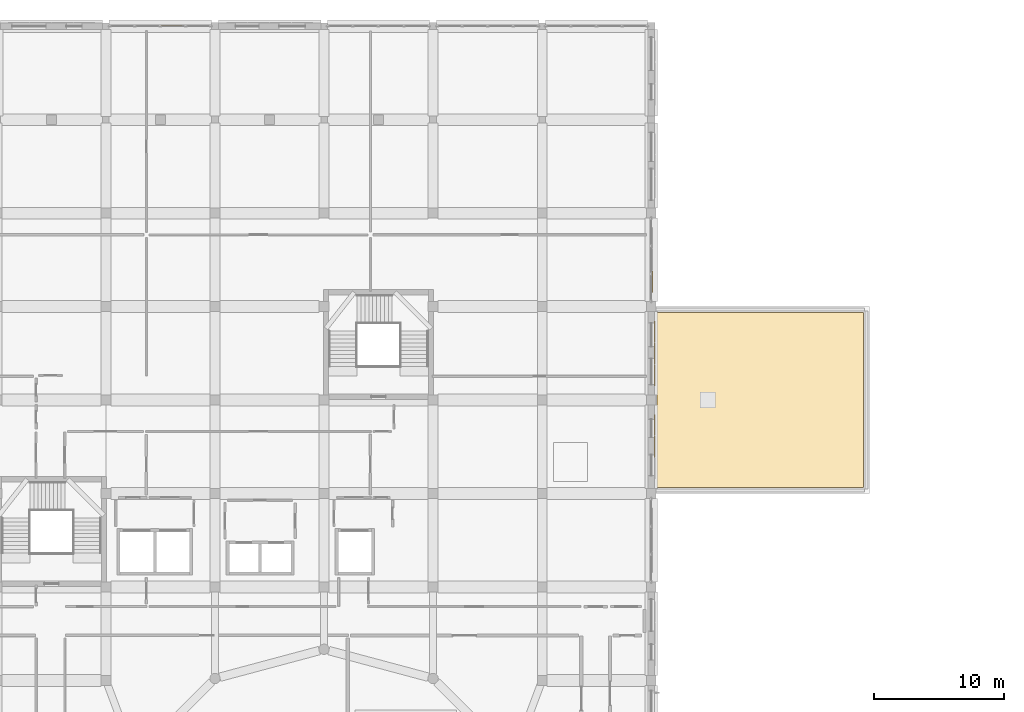
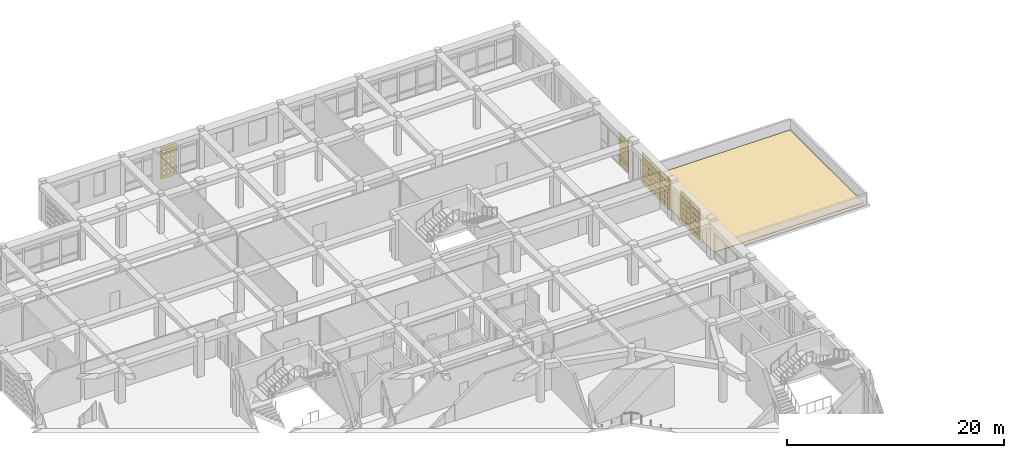
# One storey, part 112 of 121: 8 coverings.
"""IFC4 building model written with IfcOpenShell, lengths in metres."""

from ifc_helpers import new_model, si_unit, derived_unit, direction, frame, origin, place, context, subcontext, project, spatial, polyline, outline, extrude, material, layer, layer_set, type_object, element, save


model = new_model("IFC4")

# Units and contexts
model_context = context("Model", 3, precision=1e-05, world=origin(), true_north=direction((0.0, 1.0)))
body_context = subcontext(model_context, "Body", "Model", "MODEL_VIEW")
ifc_project = project(units=[si_unit("LENGTHUNIT", "METRE"), si_unit("AREAUNIT", "SQUARE_METRE"), si_unit("VOLUMEUNIT", "CUBIC_METRE"), si_unit("PLANEANGLEUNIT", "RADIAN"), si_unit("MASSUNIT", "GRAM", prefix="KILO"), derived_unit("THERMALTRANSMITTANCEUNIT", [(si_unit("POWERUNIT", "WATT"), 1), (si_unit("LENGTHUNIT", "METRE"), -2), (si_unit("THERMODYNAMICTEMPERATUREUNIT", "KELVIN"), -1)])], contexts=[model_context])

# Site, building, storey
site_placement = place(None, origin())
site = spatial("IfcSite", under=ifc_project, at=site_placement, CompositionType="ELEMENT")
building_placement = place(site_placement, origin())
building = spatial("IfcBuilding", under=site, at=building_placement, Name="Veybourne Emporium", CompositionType="ELEMENT")
storey_placement = place(building_placement, frame((0.0, 0.0, 5.39990234375)))
storey = spatial("IfcBuildingStorey", under=building, at=storey_placement, Name="L01", CompositionType="ELEMENT", Elevation=5.39990234375)

# Coverings
ifc_material_1 = material(Name="Single-Ply Warm Roof Membrane", Category="membrane")
ifc_layer_1 = layer(ifc_material_1, 0.06005859375)
ifc_layer_set_1 = layer_set([ifc_layer_1], Name="Single-Ply Warm Roof Membrane")
covering_type_1 = type_object("IfcCoveringType", Name="Roofing_RFG-01", PredefinedType="ROOFING", material=ifc_layer_set_1)
covering_1_placement = place(storey_placement, origin())
element("IfcCovering", 1, at=covering_1_placement, inside=storey, type_object=covering_type_1, Name="L01 warm-roof waterproofing membrane 1.1", PredefinedType="ROOFING", context=body_context, shape_type="SweptSolid", body=[
    extrude(outline(polyline([(101.25, 93.14990234375), (117.14990234375, 93.14990234375), (117.14990234375, 79.64990234375), (101.25, 79.64990234375), (101.25, 93.14990234375)])), origin(), (0.0, 0.0, 1.0), 0.06005859375),
])
ifc_material_2 = material(Name="Warm-White Perforated Aluminium Screen Alloy", Category="aluminium")
ifc_layer_2 = layer(ifc_material_2, 0.06005859375)
ifc_layer_set_2 = layer_set([ifc_layer_2], Name="Warm-White Perforated Aluminium Screen Alloy")
covering_type_2 = type_object("IfcCoveringType", Name="WaveScreen_SCR-01", PredefinedType="CLADDING", material=ifc_layer_set_2)
covering_2_placement = place(storey_placement, frame((63.827392578125, 115.297119140625, 1.815185546875), z_axis=(0.0, -1.0, 0.0), x_axis=(1.0, 0.0, 0.0)))
element("IfcCovering", 2, at=covering_2_placement, inside=storey, type_object=covering_type_2, Name="L01 wave-perforated aluminium screen SCR-01 (36C.3)", PredefinedType="CLADDING", context=body_context, shape_type="SweptSolid", body=[
    extrude(outline(polyline([(-0.81982421875, -1.7548828125), (0.81982421875, -1.7548828125), (0.81982421875, 1.7548828125), (-0.81982421875, 1.7548828125), (-0.81982421875, -1.7548828125)]), holes=[polyline([(-0.433349609375, -0.98095703125), (-0.2470703125, -1.13916015625), (-0.2470703125, -1.31689453125), (-0.433349609375, -1.47509765625), (-0.61962890625, -1.31689453125), (-0.61962890625, -1.13916015625), (-0.433349609375, -0.98095703125)]), polyline([(-0.433349609375, -0.37841796875), (-0.2470703125, -0.529296875), (-0.2470703125, -0.69873046875), (-0.433349609375, -0.849609375), (-0.61962890625, -0.69873046875), (-0.61962890625, -0.529296875), (-0.433349609375, -0.37841796875)]), polyline([(-0.433349609375, 0.222900390625), (-0.2470703125, 0.080322265625), (-0.2470703125, -0.080322265625), (-0.433349609375, -0.222900390625), (-0.61962890625, -0.080322265625), (-0.61962890625, 0.080322265625), (-0.433349609375, 0.222900390625)]), polyline([(-0.433349609375, 0.823486328125), (-0.251953125, 0.689453125), (-0.251953125, 0.53857421875), (-0.433349609375, 0.404541015625), (-0.61474609375, 0.53857421875), (-0.61474609375, 0.689453125), (-0.433349609375, 0.823486328125)]), polyline([(-0.433349609375, 1.42333984375), (-0.263427734375, 1.29833984375), (-0.263427734375, 1.15771484375), (-0.433349609375, 1.03271484375), (-0.603271484375, 1.15771484375), (-0.603271484375, 1.29833984375), (-0.433349609375, 1.42333984375)]), polyline([(0.0, -0.986083984375), (0.186279296875, -1.140869140625), (0.186279296875, -1.315185546875), (0.0, -1.469970703125), (-0.186279296875, -1.315185546875), (-0.186279296875, -1.140869140625), (0.0, -0.986083984375)]), polyline([(0.0, -0.384033203125), (0.186279296875, -0.53125), (0.186279296875, -0.69677734375), (0.0, -0.843994140625), (-0.186279296875, -0.69677734375), (-0.186279296875, -0.53125), (0.0, -0.384033203125)]), polyline([(0.0, 0.216796875), (0.186279296875, 0.078125), (0.186279296875, -0.078125), (0.0, -0.216796875), (-0.186279296875, -0.078125), (-0.186279296875, 0.078125), (0.0, 0.216796875)]), polyline([(0.0, 0.817138671875), (0.176025390625, 0.68701171875), (0.176025390625, 0.541015625), (0.0, 0.410888671875), (-0.176025390625, 0.541015625), (-0.176025390625, 0.68701171875), (0.0, 0.817138671875)]), polyline([(0.0, 1.4169921875), (0.16455078125, 1.2958984375), (0.16455078125, 1.159912109375), (0.0, 1.0390625), (-0.16455078125, 1.159912109375), (-0.16455078125, 1.2958984375), (0.0, 1.4169921875)]), polyline([(0.433349609375, -0.9912109375), (0.61962890625, -1.142822265625), (0.61962890625, -1.313232421875), (0.433349609375, -1.46484375), (0.2470703125, -1.313232421875), (0.2470703125, -1.142822265625), (0.433349609375, -0.9912109375)]), polyline([(0.433349609375, -0.389892578125), (0.61962890625, -0.533203125), (0.61962890625, -0.694580078125), (0.433349609375, -0.838134765625), (0.2470703125, -0.694580078125), (0.2470703125, -0.533203125), (0.433349609375, -0.389892578125)]), polyline([(0.433349609375, 0.210693359375), (0.61572265625, 0.07568359375), (0.61572265625, -0.07568359375), (0.433349609375, -0.210693359375), (0.2509765625, -0.07568359375), (0.2509765625, 0.07568359375), (0.433349609375, 0.210693359375)]), polyline([(0.433349609375, 0.810791015625), (0.604248046875, 0.684814453125), (0.604248046875, 0.543212890625), (0.433349609375, 0.417236328125), (0.262451171875, 0.543212890625), (0.262451171875, 0.684814453125), (0.433349609375, 0.810791015625)]), polyline([(0.433349609375, 1.410400390625), (0.5927734375, 1.293701171875), (0.5927734375, 1.162353515625), (0.433349609375, 1.04541015625), (0.27392578125, 1.162353515625), (0.27392578125, 1.293701171875), (0.433349609375, 1.410400390625)])]), origin(), (0.0, 0.0, 1.0), 0.06005859375),
])
covering_3_placement = place(storey_placement, frame((101.09814453125, 88.320068359375, 1.815185546875), z_axis=(-1.0, 0.0, 0.0), x_axis=(0.0, -1.0, 0.0)))
element("IfcCovering", 3, at=covering_3_placement, inside=storey, type_object=covering_type_2, Name="L01 wave-perforated aluminium screen SCR-01 (56.3)", PredefinedType="CLADDING", context=body_context, shape_type="SweptSolid", body=[
    extrude(outline(polyline([(-0.81982421875, -1.7548828125), (0.81982421875, -1.7548828125), (0.81982421875, 1.7548828125), (-0.81982421875, 1.7548828125), (-0.81982421875, -1.7548828125)]), holes=[polyline([(-0.433349609375, -1.11474609375), (-0.33056640625, -1.187255859375), (-0.33056640625, -1.268798828125), (-0.433349609375, -1.34130859375), (-0.535888671875, -1.268798828125), (-0.535888671875, -1.187255859375), (-0.433349609375, -1.11474609375)]), polyline([(-0.433349609375, -0.50341796875), (-0.3330078125, -0.57421875), (-0.3330078125, -0.65380859375), (-0.433349609375, -0.724609375), (-0.53369140625, -0.65380859375), (-0.53369140625, -0.57421875), (-0.433349609375, -0.50341796875)]), polyline([(-0.433349609375, 0.110107421875), (-0.333251953125, 0.039794921875), (-0.333251953125, -0.039794921875), (-0.433349609375, -0.110107421875), (-0.533447265625, -0.039794921875), (-0.533447265625, 0.039794921875), (-0.433349609375, 0.110107421875)]), polyline([(-0.433349609375, 0.726318359375), (-0.33154296875, 0.654296875), (-0.33154296875, 0.573486328125), (-0.433349609375, 0.501708984375), (-0.53515625, 0.573486328125), (-0.53515625, 0.654296875), (-0.433349609375, 0.726318359375)]), polyline([(-0.433349609375, 1.344482421875), (-0.327880859375, 1.27001953125), (-0.327880859375, 1.18603515625), (-0.433349609375, 1.111328125), (-0.538818359375, 1.18603515625), (-0.538818359375, 1.27001953125), (-0.433349609375, 1.344482421875)]), polyline([(0.0, -1.112548828125), (0.1044921875, -1.1865234375), (0.1044921875, -1.26953125), (0.0, -1.343505859375), (-0.1044921875, -1.26953125), (-0.1044921875, -1.1865234375), (0.0, -1.112548828125)]), polyline([(0.0, -0.50244140625), (0.101318359375, -0.573974609375), (0.101318359375, -0.654052734375), (0.0, -0.7255859375), (-0.101318359375, -0.654052734375), (-0.101318359375, -0.573974609375), (0.0, -0.50244140625)]), polyline([(0.0, 0.110107421875), (0.10009765625, 0.03955078125), (0.10009765625, -0.03955078125), (0.0, -0.110107421875), (-0.10009765625, -0.03955078125), (-0.10009765625, 0.03955078125), (0.0, 0.110107421875)]), polyline([(0.0, 0.72509765625), (0.100830078125, 0.65380859375), (0.100830078125, 0.57421875), (0.0, 0.5029296875), (-0.100830078125, 0.57421875), (-0.100830078125, 0.65380859375), (0.0, 0.72509765625)]), polyline([(0.0, 1.34228515625), (0.103515625, 1.269287109375), (0.103515625, 1.186767578125), (0.0, 1.11376953125), (-0.103515625, 1.186767578125), (-0.103515625, 1.269287109375), (0.0, 1.34228515625)]), polyline([(0.433349609375, -1.110107421875), (0.539794921875, -1.185546875), (0.539794921875, -1.2705078125), (0.433349609375, -1.345947265625), (0.326904296875, -1.2705078125), (0.326904296875, -1.185546875), (0.433349609375, -1.110107421875)]), polyline([(0.433349609375, -0.501220703125), (0.53564453125, -0.5732421875), (0.53564453125, -0.65478515625), (0.433349609375, -0.726806640625), (0.330810546875, -0.65478515625), (0.330810546875, -0.5732421875), (0.433349609375, -0.501220703125)]), polyline([(0.433349609375, 0.1103515625), (0.53369140625, 0.039794921875), (0.53369140625, -0.039794921875), (0.433349609375, -0.1103515625), (0.3330078125, -0.039794921875), (0.3330078125, 0.039794921875), (0.433349609375, 0.1103515625)]), polyline([(0.433349609375, 0.72412109375), (0.533447265625, 0.65380859375), (0.533447265625, 0.57421875), (0.433349609375, 0.50390625), (0.3330078125, 0.57421875), (0.3330078125, 0.65380859375), (0.433349609375, 0.72412109375)]), polyline([(0.433349609375, 1.340576171875), (0.535400390625, 1.2685546875), (0.535400390625, 1.1875), (0.433349609375, 1.115478515625), (0.331298828125, 1.1875), (0.331298828125, 1.2685546875), (0.433349609375, 1.340576171875)])]), origin(), (0.0, 0.0, 1.0), 0.06005859375),
])
ifc_layer_3 = layer(ifc_material_2, 0.06005859375)
ifc_layer_set_3 = layer_set([ifc_layer_3], Name="Warm-White Perforated Aluminium Screen Alloy")
covering_type_3 = type_object("IfcCoveringType", Name="WaveScreen_SCR-02", PredefinedType="CLADDING", material=ifc_layer_set_3)
covering_4_placement = place(storey_placement, frame((101.09814453125, 84.47998046875, 1.815185546875), z_axis=(-1.0, 0.0, 0.0), x_axis=(0.0, -1.0, 0.0)))
element("IfcCovering", 4, at=covering_4_placement, inside=storey, type_object=covering_type_3, Name="L01 wave-perforated aluminium screen SCR-02 (55.1)", PredefinedType="CLADDING", context=body_context, shape_type="SweptSolid", body=[
    extrude(outline(polyline([(-0.81982421875, -1.7548828125), (0.81982421875, -1.7548828125), (0.81982421875, 1.7548828125), (-0.81982421875, 1.7548828125), (-0.81982421875, -1.7548828125)]), holes=[polyline([(-0.433349609375, -1.081787109375), (-0.3037109375, -1.17529296875), (-0.3037109375, -1.280517578125), (-0.433349609375, -1.374267578125), (-0.56298828125, -1.280517578125), (-0.56298828125, -1.17529296875), (-0.433349609375, -1.081787109375)]), polyline([(-0.433349609375, -0.478759765625), (-0.312744140625, -0.565185546875), (-0.312744140625, -0.66259765625), (-0.433349609375, -0.749267578125), (-0.553955078125, -0.66259765625), (-0.553955078125, -0.565185546875), (-0.433349609375, -0.478759765625)]), polyline([(-0.433349609375, 0.1259765625), (-0.3203125, 0.04541015625), (-0.3203125, -0.04541015625), (-0.433349609375, -0.1259765625), (-0.54638671875, -0.04541015625), (-0.54638671875, 0.04541015625), (-0.433349609375, 0.1259765625)]), polyline([(-0.433349609375, 0.732666015625), (-0.326416015625, 0.65673828125), (-0.326416015625, 0.5712890625), (-0.433349609375, 0.495361328125), (-0.540283203125, 0.5712890625), (-0.540283203125, 0.65673828125), (-0.433349609375, 0.732666015625)]), polyline([(-0.433349609375, 1.34130859375), (-0.33056640625, 1.268798828125), (-0.33056640625, 1.187255859375), (-0.433349609375, 1.114501953125), (-0.5361328125, 1.187255859375), (-0.5361328125, 1.268798828125), (-0.433349609375, 1.34130859375)]), polyline([(0.0, -1.076416015625), (0.134033203125, -1.17333984375), (0.134033203125, -1.28271484375), (0.0, -1.379638671875), (-0.134033203125, -1.28271484375), (-0.134033203125, -1.17333984375), (0.0, -1.076416015625)]), polyline([(0.0, -0.47412109375), (0.12451171875, -0.563720703125), (0.12451171875, -0.664306640625), (0.0, -0.75390625), (-0.12451171875, -0.664306640625), (-0.12451171875, -0.563720703125), (0.0, -0.47412109375)]), polyline([(0.0, 0.1298828125), (0.1162109375, 0.046875), (0.1162109375, -0.046875), (0.0, -0.1298828125), (-0.1162109375, -0.046875), (-0.1162109375, 0.046875), (0.0, 0.1298828125)]), polyline([(0.0, 0.735595703125), (0.109619140625, 0.65771484375), (0.109619140625, 0.5703125), (0.0, 0.492431640625), (-0.109619140625, 0.5703125), (-0.109619140625, 0.65771484375), (0.0, 0.735595703125)]), polyline([(0.0, 1.343505859375), (0.1044921875, 1.26953125), (0.1044921875, 1.186279296875), (0.0, 1.112548828125), (-0.1044921875, 1.186279296875), (-0.1044921875, 1.26953125), (0.0, 1.343505859375)]), polyline([(0.433349609375, -1.070556640625), (0.572021484375, -1.17138671875), (0.572021484375, -1.28466796875), (0.433349609375, -1.385498046875), (0.294677734375, -1.28466796875), (0.294677734375, -1.17138671875), (0.433349609375, -1.070556640625)]), polyline([(0.433349609375, -0.468994140625), (0.56201171875, -0.561767578125), (0.56201171875, -0.666259765625), (0.433349609375, -0.759033203125), (0.3046875, -0.666259765625), (0.3046875, -0.561767578125), (0.433349609375, -0.468994140625)]), polyline([(0.433349609375, 0.13427734375), (0.55322265625, 0.04833984375), (0.55322265625, -0.04833984375), (0.433349609375, -0.13427734375), (0.3134765625, -0.04833984375), (0.3134765625, 0.04833984375), (0.433349609375, 0.13427734375)]), polyline([(0.433349609375, 0.739013671875), (0.545654296875, 0.6591796875), (0.545654296875, 0.56884765625), (0.433349609375, 0.489013671875), (0.32080078125, 0.56884765625), (0.32080078125, 0.6591796875), (0.433349609375, 0.739013671875)]), polyline([(0.433349609375, 1.345947265625), (0.539794921875, 1.2705078125), (0.539794921875, 1.185546875), (0.433349609375, 1.110107421875), (0.326904296875, 1.185546875), (0.326904296875, 1.2705078125), (0.433349609375, 1.345947265625)])]), origin(), (0.0, 0.0, 1.0), 0.06005859375),
])
covering_5_placement = place(storey_placement, frame((100.8955078125, 95.52001953125, 1.815185546875), z_axis=(-1.0, 0.0, 0.0), x_axis=(0.0, -1.0, 0.0)))
element("IfcCovering", 5, at=covering_5_placement, inside=storey, type_object=covering_type_3, Name="L01 wave-perforated aluminium screen SCR-02 (57C.3)", PredefinedType="CLADDING", context=body_context, shape_type="SweptSolid", body=[
    extrude(outline(polyline([(-0.81982421875, -1.7548828125), (0.81982421875, -1.7548828125), (0.81982421875, 1.7548828125), (-0.81982421875, 1.7548828125), (-0.81982421875, -1.7548828125)]), holes=[polyline([(-0.433349609375, -1.081787109375), (-0.3037109375, -1.17529296875), (-0.3037109375, -1.280517578125), (-0.433349609375, -1.374267578125), (-0.56298828125, -1.280517578125), (-0.56298828125, -1.17529296875), (-0.433349609375, -1.081787109375)]), polyline([(-0.433349609375, -0.455322265625), (-0.293701171875, -0.556884765625), (-0.293701171875, -0.671142578125), (-0.433349609375, -0.772705078125), (-0.572998046875, -0.671142578125), (-0.572998046875, -0.556884765625), (-0.433349609375, -0.455322265625)]), polyline([(-0.433349609375, 0.172119140625), (-0.28271484375, 0.06201171875), (-0.28271484375, -0.06201171875), (-0.433349609375, -0.172119140625), (-0.583984375, -0.06201171875), (-0.583984375, 0.06201171875), (-0.433349609375, 0.172119140625)]), polyline([(-0.433349609375, 0.7998046875), (-0.271240234375, 0.680908203125), (-0.271240234375, 0.547119140625), (-0.433349609375, 0.427978515625), (-0.595458984375, 0.547119140625), (-0.595458984375, 0.680908203125), (-0.433349609375, 0.7998046875)]), polyline([(-0.433349609375, 1.427978515625), (-0.259521484375, 1.300048828125), (-0.259521484375, 1.156005859375), (-0.433349609375, 1.02783203125), (-0.607177734375, 1.156005859375), (-0.607177734375, 1.300048828125), (-0.433349609375, 1.427978515625)]), polyline([(0.0, -1.0869140625), (0.12548828125, -1.17724609375), (0.12548828125, -1.27880859375), (0.0, -1.369140625), (-0.12548828125, -1.27880859375), (-0.12548828125, -1.17724609375), (0.0, -1.0869140625)]), polyline([(0.0, -0.461181640625), (0.135009765625, -0.55908203125), (0.135009765625, -0.6689453125), (0.0, -0.766845703125), (-0.135009765625, -0.6689453125), (-0.135009765625, -0.55908203125), (0.0, -0.461181640625)]), polyline([(0.0, 0.165771484375), (0.145751953125, 0.059814453125), (0.145751953125, -0.059814453125), (0.0, -0.165771484375), (-0.145751953125, -0.059814453125), (-0.145751953125, 0.059814453125), (0.0, 0.165771484375)]), polyline([(0.0, 0.793701171875), (0.156982421875, 0.6787109375), (0.156982421875, 0.54931640625), (0.0, 0.434326171875), (-0.156982421875, 0.54931640625), (-0.156982421875, 0.6787109375), (0.0, 0.793701171875)]), polyline([(0.0, 1.421630859375), (0.16845703125, 1.297607421875), (0.16845703125, 1.158203125), (0.0, 1.0341796875), (-0.16845703125, 1.158203125), (-0.16845703125, 1.297607421875), (0.0, 1.421630859375)]), polyline([(0.433349609375, -1.091796875), (0.5546875, -1.178955078125), (0.5546875, -1.277099609375), (0.433349609375, -1.3642578125), (0.31201171875, -1.277099609375), (0.31201171875, -1.178955078125), (0.433349609375, -1.091796875)]), polyline([(0.433349609375, -0.466796875), (0.56396484375, -0.56103515625), (0.56396484375, -0.6669921875), (0.433349609375, -0.76123046875), (0.302734375, -0.6669921875), (0.302734375, -0.56103515625), (0.433349609375, -0.466796875)]), polyline([(0.433349609375, 0.159912109375), (0.57421875, 0.0576171875), (0.57421875, -0.0576171875), (0.433349609375, -0.159912109375), (0.29248046875, -0.0576171875), (0.29248046875, 0.0576171875), (0.433349609375, 0.159912109375)]), polyline([(0.433349609375, 0.787109375), (0.585205078125, 0.676513671875), (0.585205078125, 0.551513671875), (0.433349609375, 0.44091796875), (0.281494140625, 0.551513671875), (0.281494140625, 0.676513671875), (0.433349609375, 0.787109375)]), polyline([(0.433349609375, 1.415283203125), (0.596435546875, 1.29541015625), (0.596435546875, 1.16064453125), (0.433349609375, 1.040771484375), (0.27001953125, 1.16064453125), (0.27001953125, 1.29541015625), (0.433349609375, 1.415283203125)])]), origin(), (0.0, 0.0, 1.0), 0.06005859375),
])
ifc_layer_4 = layer(ifc_material_2, 0.06005859375)
ifc_layer_set_4 = layer_set([ifc_layer_4], Name="Warm-White Perforated Aluminium Screen Alloy")
covering_type_4 = type_object("IfcCoveringType", Name="WaveScreen_SCR-03", PredefinedType="CLADDING", material=ifc_layer_set_4)
covering_6_placement = place(storey_placement, frame((101.09814453125, 82.800048828125, 1.815185546875), z_axis=(-1.0, 0.0, 0.0), x_axis=(0.0, -1.0, 0.0)))
element("IfcCovering", 6, at=covering_6_placement, inside=storey, type_object=covering_type_4, Name="L01 wave-perforated aluminium screen SCR-03 (55.2)", PredefinedType="CLADDING", context=body_context, shape_type="SweptSolid", body=[
    extrude(outline(polyline([(-0.81982421875, -1.7548828125), (0.81982421875, -1.7548828125), (0.81982421875, 1.7548828125), (-0.81982421875, 1.7548828125), (-0.81982421875, -1.7548828125)]), holes=[polyline([(-0.433349609375, -1.059326171875), (-0.285400390625, -1.167236328125), (-0.285400390625, -1.288818359375), (-0.433349609375, -1.396728515625), (-0.581298828125, -1.288818359375), (-0.581298828125, -1.167236328125), (-0.433349609375, -1.059326171875)]), polyline([(-0.433349609375, -0.45849609375), (-0.296142578125, -0.55810546875), (-0.296142578125, -0.669921875), (-0.433349609375, -0.76953125), (-0.570556640625, -0.669921875), (-0.570556640625, -0.55810546875), (-0.433349609375, -0.45849609375)]), polyline([(-0.433349609375, 0.143310546875), (-0.305908203125, 0.051513671875), (-0.305908203125, -0.051513671875), (-0.433349609375, -0.143310546875), (-0.560791015625, -0.051513671875), (-0.560791015625, 0.051513671875), (-0.433349609375, 0.143310546875)]), polyline([(-0.433349609375, 0.746826171875), (-0.314697265625, 0.661865234375), (-0.314697265625, 0.566162109375), (-0.433349609375, 0.481201171875), (-0.552001953125, 0.566162109375), (-0.552001953125, 0.661865234375), (-0.433349609375, 0.746826171875)]), polyline([(-0.433349609375, 1.351806640625), (-0.322021484375, 1.272705078125), (-0.322021484375, 1.183349609375), (-0.433349609375, 1.10400390625), (-0.544677734375, 1.183349609375), (-0.544677734375, 1.272705078125), (-0.433349609375, 1.351806640625)]), polyline([(0.0, -1.052978515625), (0.153076171875, -1.1650390625), (0.153076171875, -1.291015625), (0.0, -1.40283203125), (-0.153076171875, -1.291015625), (-0.153076171875, -1.1650390625), (0.0, -1.052978515625)]), polyline([(0.0, -0.45263671875), (0.14208984375, -0.555908203125), (0.14208984375, -0.672119140625), (0.0, -0.775390625), (-0.14208984375, -0.672119140625), (-0.14208984375, -0.555908203125), (0.0, -0.45263671875)]), polyline([(0.0, 0.148681640625), (0.131591796875, 0.0537109375), (0.131591796875, -0.0537109375), (0.0, -0.148681640625), (-0.131591796875, -0.0537109375), (-0.131591796875, 0.0537109375), (0.0, 0.148681640625)]), polyline([(0.0, 0.75146484375), (0.122314453125, 0.66357421875), (0.122314453125, 0.564453125), (0.0, 0.4765625), (-0.122314453125, 0.564453125), (-0.122314453125, 0.66357421875), (0.0, 0.75146484375)]), polyline([(0.0, 1.355712890625), (0.114501953125, 1.27392578125), (0.114501953125, 1.181884765625), (0.0, 1.100341796875), (-0.114501953125, 1.181884765625), (-0.114501953125, 1.27392578125), (0.0, 1.355712890625)]), polyline([(0.433349609375, -1.046875), (0.591552734375, -1.162841796875), (0.591552734375, -1.293212890625), (0.433349609375, -1.4091796875), (0.275146484375, -1.293212890625), (0.275146484375, -1.162841796875), (0.433349609375, -1.046875)]), polyline([(0.433349609375, -0.446533203125), (0.580322265625, -0.5537109375), (0.580322265625, -0.67431640625), (0.433349609375, -0.781494140625), (0.286376953125, -0.67431640625), (0.286376953125, -0.5537109375), (0.433349609375, -0.446533203125)]), polyline([(0.433349609375, 0.154296875), (0.569580078125, 0.0556640625), (0.569580078125, -0.0556640625), (0.433349609375, -0.154296875), (0.297119140625, -0.0556640625), (0.297119140625, 0.0556640625), (0.433349609375, 0.154296875)]), polyline([(0.433349609375, 0.75634765625), (0.559814453125, 0.665283203125), (0.559814453125, 0.562744140625), (0.433349609375, 0.4716796875), (0.306884765625, 0.562744140625), (0.306884765625, 0.665283203125), (0.433349609375, 0.75634765625)]), polyline([(0.433349609375, 1.35986328125), (0.55126953125, 1.275390625), (0.55126953125, 1.180419921875), (0.433349609375, 1.09619140625), (0.3154296875, 1.180419921875), (0.3154296875, 1.275390625), (0.433349609375, 1.35986328125)])]), origin(), (0.0, 0.0, 1.0), 0.06005859375),
])
covering_7_placement = place(storey_placement, frame((101.09814453125, 91.679931640625, 1.815185546875), z_axis=(-1.0, 0.0, 0.0), x_axis=(0.0, -1.0, 0.0)))
element("IfcCovering", 7, at=covering_7_placement, inside=storey, type_object=covering_type_4, Name="L01 wave-perforated aluminium screen SCR-03 (56.1)", PredefinedType="CLADDING", context=body_context, shape_type="SweptSolid", body=[
    extrude(outline(polyline([(-0.81982421875, -1.7548828125), (0.81982421875, -1.7548828125), (0.81982421875, 1.7548828125), (-0.81982421875, 1.7548828125), (-0.81982421875, -1.7548828125)]), holes=[polyline([(-0.433349609375, -1.11376953125), (-0.329833984375, -1.18701171875), (-0.329833984375, -1.26904296875), (-0.433349609375, -1.34228515625), (-0.536865234375, -1.26904296875), (-0.536865234375, -1.18701171875), (-0.433349609375, -1.11376953125)]), polyline([(-0.433349609375, -0.494140625), (-0.3251953125, -0.57080078125), (-0.3251953125, -0.656982421875), (-0.433349609375, -0.73388671875), (-0.54150390625, -0.656982421875), (-0.54150390625, -0.57080078125), (-0.433349609375, -0.494140625)]), polyline([(-0.433349609375, 0.127685546875), (-0.319091796875, 0.0458984375), (-0.319091796875, -0.0458984375), (-0.433349609375, -0.127685546875), (-0.547607421875, -0.0458984375), (-0.547607421875, 0.0458984375), (-0.433349609375, 0.127685546875)]), polyline([(-0.433349609375, 0.751220703125), (-0.31103515625, 0.663330078125), (-0.31103515625, 0.564697265625), (-0.433349609375, 0.476806640625), (-0.5556640625, 0.564697265625), (-0.5556640625, 0.663330078125), (-0.433349609375, 0.751220703125)]), polyline([(-0.433349609375, 1.37646484375), (-0.3017578125, 1.281494140625), (-0.3017578125, 1.174560546875), (-0.433349609375, 1.07958984375), (-0.564697265625, 1.174560546875), (-0.564697265625, 1.281494140625), (-0.433349609375, 1.37646484375)]), polyline([(0.0, -1.115478515625), (0.10205078125, -1.1875), (0.10205078125, -1.2685546875), (0.0, -1.34033203125), (-0.10205078125, -1.2685546875), (-0.10205078125, -1.1875), (0.0, -1.115478515625)]), polyline([(0.0, -0.4970703125), (0.105712890625, -0.572021484375), (0.105712890625, -0.656005859375), (0.0, -0.73095703125), (-0.105712890625, -0.656005859375), (-0.105712890625, -0.572021484375), (0.0, -0.4970703125)]), polyline([(0.0, 0.123779296875), (0.111328125, 0.044677734375), (0.111328125, -0.044677734375), (0.0, -0.123779296875), (-0.111328125, -0.044677734375), (-0.111328125, 0.044677734375), (0.0, 0.123779296875)]), polyline([(0.0, 0.74658203125), (0.118408203125, 0.66162109375), (0.118408203125, 0.56640625), (0.0, 0.4814453125), (-0.118408203125, 0.56640625), (-0.118408203125, 0.66162109375), (0.0, 0.74658203125)]), polyline([(0.0, 1.37109375), (0.127197265625, 1.279541015625), (0.127197265625, 1.176513671875), (0.0, 1.084716796875), (-0.127197265625, 1.176513671875), (-0.127197265625, 1.279541015625), (0.0, 1.37109375)]), polyline([(0.433349609375, -1.116943359375), (0.5341796875, -1.18798828125), (0.5341796875, -1.26806640625), (0.433349609375, -1.339111328125), (0.33251953125, -1.26806640625), (0.33251953125, -1.18798828125), (0.433349609375, -1.116943359375)]), polyline([(0.433349609375, -0.49951171875), (0.537109375, -0.57275390625), (0.537109375, -0.6552734375), (0.433349609375, -0.728515625), (0.32958984375, -0.6552734375), (0.32958984375, -0.57275390625), (0.433349609375, -0.49951171875)]), polyline([(0.433349609375, 0.120361328125), (0.5419921875, 0.04345703125), (0.5419921875, -0.04345703125), (0.433349609375, -0.120361328125), (0.32470703125, -0.04345703125), (0.32470703125, 0.04345703125), (0.433349609375, 0.120361328125)]), polyline([(0.433349609375, 0.742431640625), (0.54833984375, 0.66015625), (0.54833984375, 0.56787109375), (0.433349609375, 0.485595703125), (0.318359375, 0.56787109375), (0.318359375, 0.66015625), (0.433349609375, 0.742431640625)]), polyline([(0.433349609375, 1.3662109375), (0.556396484375, 1.27783203125), (0.556396484375, 1.17822265625), (0.433349609375, 1.08984375), (0.310302734375, 1.17822265625), (0.310302734375, 1.27783203125), (0.433349609375, 1.3662109375)])]), origin(), (0.0, 0.0, 1.0), 0.06005859375),
])
ifc_layer_5 = layer(ifc_material_2, 0.06005859375)
ifc_layer_set_5 = layer_set([ifc_layer_5], Name="Warm-White Perforated Aluminium Screen Alloy")
covering_type_5 = type_object("IfcCoveringType", Name="WaveScreen_SCR-04", PredefinedType="CLADDING", material=ifc_layer_set_5)
covering_8_placement = place(storey_placement, frame((101.09814453125, 90.0, 1.815185546875), z_axis=(-1.0, 0.0, 0.0), x_axis=(0.0, -1.0, 0.0)))
element("IfcCovering", 8, at=covering_8_placement, inside=storey, type_object=covering_type_5, Name="L01 wave-perforated aluminium screen SCR-04 (56.2)", PredefinedType="CLADDING", context=body_context, shape_type="SweptSolid", body=[
    extrude(outline(polyline([(-0.81982421875, -1.7548828125), (0.81982421875, -1.7548828125), (0.81982421875, 1.7548828125), (-0.81982421875, 1.7548828125), (-0.81982421875, -1.7548828125)]), holes=[polyline([(-0.433349609375, -1.117919921875), (-0.333251953125, -1.1884765625), (-0.333251953125, -1.267578125), (-0.433349609375, -1.337890625), (-0.533203125, -1.267578125), (-0.533203125, -1.1884765625), (-0.433349609375, -1.117919921875)]), polyline([(-0.433349609375, -0.50244140625), (-0.33203125, -0.573974609375), (-0.33203125, -0.654052734375), (-0.433349609375, -0.7255859375), (-0.53466796875, -0.654052734375), (-0.53466796875, -0.573974609375), (-0.433349609375, -0.50244140625)]), polyline([(-0.433349609375, 0.115478515625), (-0.3291015625, 0.04150390625), (-0.3291015625, -0.04150390625), (-0.433349609375, -0.115478515625), (-0.53759765625, -0.04150390625), (-0.53759765625, 0.04150390625), (-0.433349609375, 0.115478515625)]), polyline([(-0.433349609375, 0.735595703125), (-0.323974609375, 0.65771484375), (-0.323974609375, 0.5703125), (-0.433349609375, 0.492431640625), (-0.542724609375, 0.5703125), (-0.542724609375, 0.65771484375), (-0.433349609375, 0.735595703125)]), polyline([(-0.433349609375, 1.357666015625), (-0.317138671875, 1.274658203125), (-0.317138671875, 1.181396484375), (-0.433349609375, 1.098388671875), (-0.549560546875, 1.181396484375), (-0.549560546875, 1.274658203125), (-0.433349609375, 1.357666015625)]), polyline([(0.0, -1.117919921875), (0.10009765625, -1.188232421875), (0.10009765625, -1.267578125), (0.0, -1.338134765625), (-0.10009765625, -1.267578125), (-0.10009765625, -1.188232421875), (0.0, -1.117919921875)]), polyline([(0.0, -0.50341796875), (0.100341796875, -0.57421875), (0.100341796875, -0.65380859375), (0.0, -0.724609375), (-0.100341796875, -0.65380859375), (-0.100341796875, -0.57421875), (0.0, -0.50341796875)]), polyline([(0.0, 0.11328125), (0.102783203125, 0.040771484375), (0.102783203125, -0.040771484375), (0.0, -0.11328125), (-0.102783203125, -0.040771484375), (-0.102783203125, 0.040771484375), (0.0, 0.11328125)]), polyline([(0.0, 0.732421875), (0.10693359375, 0.656494140625), (0.10693359375, 0.5712890625), (0.0, 0.49560546875), (-0.10693359375, 0.5712890625), (-0.10693359375, 0.656494140625), (0.0, 0.732421875)]), polyline([(0.0, 1.353759765625), (0.11279296875, 1.273193359375), (0.11279296875, 1.1826171875), (0.0, 1.102294921875), (-0.11279296875, 1.1826171875), (-0.11279296875, 1.273193359375), (0.0, 1.353759765625)]), polyline([(0.433349609375, -1.1171875), (0.533935546875, -1.18798828125), (0.533935546875, -1.267822265625), (0.433349609375, -1.3388671875), (0.332763671875, -1.267822265625), (0.332763671875, -1.18798828125), (0.433349609375, -1.1171875)]), polyline([(0.433349609375, -0.50390625), (0.533447265625, -0.574462890625), (0.533447265625, -0.653564453125), (0.433349609375, -0.72412109375), (0.333251953125, -0.653564453125), (0.333251953125, -0.574462890625), (0.433349609375, -0.50390625)]), polyline([(0.433349609375, 0.11181640625), (0.534912109375, 0.040283203125), (0.534912109375, -0.040283203125), (0.433349609375, -0.11181640625), (0.331787109375, -0.040283203125), (0.331787109375, 0.040283203125), (0.433349609375, 0.11181640625)]), polyline([(0.433349609375, 0.729736328125), (0.5380859375, 0.65576171875), (0.5380859375, 0.572265625), (0.433349609375, 0.498291015625), (0.32861328125, 0.572265625), (0.32861328125, 0.65576171875), (0.433349609375, 0.729736328125)]), polyline([(0.433349609375, 1.35009765625), (0.543212890625, 1.27197265625), (0.543212890625, 1.18408203125), (0.433349609375, 1.105712890625), (0.323486328125, 1.18408203125), (0.323486328125, 1.27197265625), (0.433349609375, 1.35009765625)])]), origin(), (0.0, 0.0, 1.0), 0.06005859375),
])

save(model, "model.ifc")
